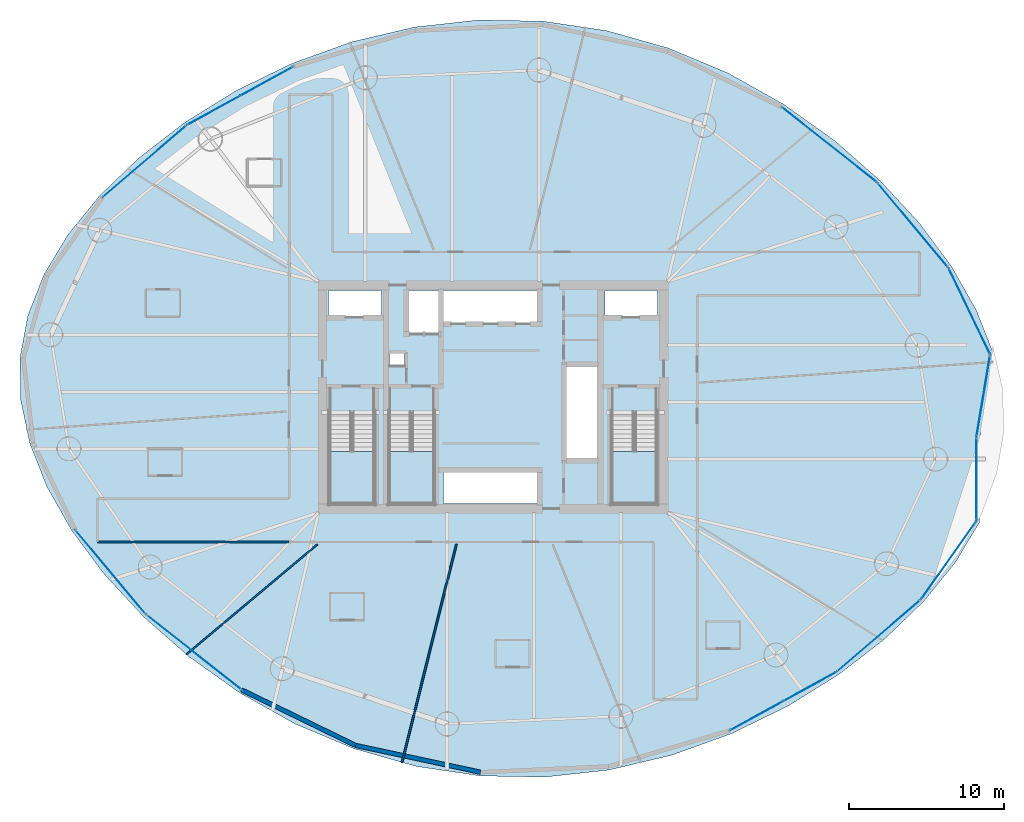
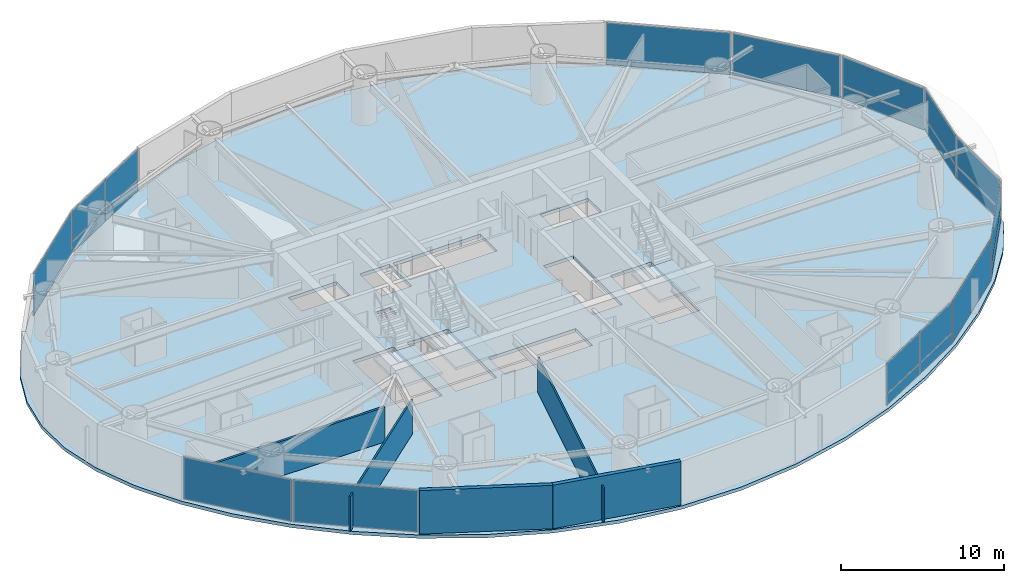
# One storey, part 20 of 25: 22 plates, 5 walls, 4 slabs, 15 elements without a shape of their own.
"""IFC4 building model written with IfcOpenShell, lengths in metres."""

from ifc_helpers import new_model, si_unit, direction, frame, frame_2d, origin, origin_2d, place, context, subcontext, project, spatial, polyline, rectangle, outline, extrude, material, layer, layer_set, type_object, element, aggregate, save


model = new_model("IFC4")

# Units and contexts
model_context = context("Model", 3, precision=1e-05, world=origin(), true_north=direction((0.0, 1.0)))
body_context = subcontext(model_context, "Body", "Model", "MODEL_VIEW")
ifc_project = project(units=[si_unit("LENGTHUNIT", "METRE"), si_unit("AREAUNIT", "SQUARE_METRE"), si_unit("VOLUMEUNIT", "CUBIC_METRE"), si_unit("PLANEANGLEUNIT", "RADIAN"), si_unit("MASSUNIT", "GRAM", prefix="KILO")], contexts=[model_context])

# Site, building, storey
site_placement = place(None, origin())
site = spatial("IfcSite", under=ifc_project, at=site_placement, CompositionType="ELEMENT")
building_placement = place(site_placement, origin())
building = spatial("IfcBuilding", under=site, at=building_placement, Name="Bramvorn Convention Spire", CompositionType="ELEMENT")
storey_placement = place(building_placement, frame((0.0, 0.0, 55.39990234375)))
storey = spatial("IfcBuildingStorey", under=building, at=storey_placement, Name="L11", CompositionType="ELEMENT", Elevation=55.39990234375)

# Curtain wall, plate
ifc_material_1 = material(Name="Anodised Bronze Unitised Curtain Wall", Category="aluminium")
ifc_layer_1 = layer(ifc_material_1, 0.179931640625)
ifc_layer_set_1 = layer_set([ifc_layer_1], Name="Anodised Bronze Unitised Curtain Wall - CW-HTL-FRIT")
curtain_wall_type_1 = type_object("IfcCurtainWallType", Name="CW-HTL-FRIT", PredefinedType="USERDEFINED", material=ifc_layer_set_1)
curtain_wall_1_placement = place(storey_placement, origin())
curtain_wall_1 = element("IfcCurtainWall", 1, at=curtain_wall_1_placement, inside=storey, type_object=curtain_wall_type_1, Name="L11 fritted glass curtain wall 03", ObjectType="UNITISED CURTAIN WALL", PredefinedType="USERDEFINED")
ifc_material_2 = material(Name="Laminated Low-E Glass (Triple IGU Bronze Ceramic Frit 35%)", Category="glass")
ifc_layer_2 = layer(ifc_material_2, 0.035888671875)
ifc_layer_set_2 = layer_set([ifc_layer_2], Name="Laminated Low-E Glass (Triple IGU Bronze Ceramic Frit 35%) - PNL-IGU-1")
plate_type_1 = type_object("IfcPlateType", Name="PNL-IGU-1", PredefinedType="CURTAIN_PANEL", material=ifc_layer_set_2)
plate_1_placement = place(storey_placement, frame((65.05029296875, 37.081787109375, 0.06005859375), z_axis=(0.0, 0.0, 1.0), x_axis=(0.641271629393, -0.767313949656, 0.0)))
plate_1 = element("IfcPlate", 2, at=plate_1_placement, type_object=plate_type_1, Name="CW2 panel 1.1", PredefinedType="CURTAIN_PANEL", context=body_context, shape_type="SweptSolid", body=[
    extrude(rectangle(XDim=7.02294921875, YDim=0.028076171875, at=origin_2d()), origin(), (0.0, 0.0, 1.0), 3.1298828125),
])
aggregate(curtain_wall_1, [plate_1])

curtain_wall_2_placement = place(storey_placement, origin())
curtain_wall_2 = element("IfcCurtainWall", 3, at=curtain_wall_2_placement, inside=storey, type_object=curtain_wall_type_1, Name="L11 fritted glass curtain wall 04", ObjectType="UNITISED CURTAIN WALL", PredefinedType="USERDEFINED")
plate_2_placement = place(storey_placement, frame((59.680419921875, 42.25146484375, 0.06005859375), z_axis=(0.0, 0.0, 1.0), x_axis=(0.785131009574, -0.619329716553, 0.0)))
plate_2 = element("IfcPlate", 4, at=plate_2_placement, type_object=plate_type_1, Name="CW2 panel 1.1", PredefinedType="CURTAIN_PANEL", context=body_context, shape_type="SweptSolid", body=[
    extrude(rectangle(XDim=7.724853515625, YDim=0.028076171875, at=origin_2d()), origin(), (0.0, 0.0, 1.0), 3.1298828125),
])
aggregate(curtain_wall_2, [plate_2])

# Curtain wall, plates
curtain_wall_3_placement = place(storey_placement, origin())
curtain_wall_3 = element("IfcCurtainWall", 5, at=curtain_wall_3_placement, inside=storey, type_object=curtain_wall_type_1, Name="L11 fritted glass curtain wall 09", ObjectType="UNITISED CURTAIN WALL", PredefinedType="USERDEFINED")
plate_3_placement = place(storey_placement, frame((19.98486328125, 44.4716796875, 0.06005859375), z_axis=(0.0, 0.0, 1.0), x_axis=(0.87658087048, 0.481254586999, 0.0)))
plate_3 = element("IfcPlate", 6, at=plate_3_placement, type_object=plate_type_1, Name="CW2 panel 1.1", PredefinedType="CURTAIN_PANEL", context=body_context, shape_type="SweptSolid", body=[
    extrude(rectangle(XDim=3.83251953125, YDim=0.028076171875, at=origin_2d()), origin(), (0.0, 0.0, 1.0), 0.81005859375),
])
plate_4_placement = place(storey_placement, frame((19.98486328125, 44.4716796875, 0.93017578125), z_axis=(0.0, 0.0, 1.0), x_axis=(0.87658087048, 0.481254586999, 0.0)))
plate_4 = element("IfcPlate", 7, at=plate_4_placement, type_object=plate_type_1, Name="CW2 panel 1.2", PredefinedType="CURTAIN_PANEL", context=body_context, shape_type="SweptSolid", body=[
    extrude(rectangle(XDim=3.83251953125, YDim=0.028076171875, at=origin_2d()), origin(), (0.0, 0.0, 1.0), 2.260009765625),
])
plate_5_placement = place(storey_placement, frame((23.39697265625, 46.3447265625, 0.06005859375), z_axis=(0.0, 0.0, 1.0), x_axis=(0.87658087048, 0.481254586999, 0.0)))
plate_5 = element("IfcPlate", 8, at=plate_5_placement, type_object=plate_type_1, Name="CW2 panel 2.1", PredefinedType="CURTAIN_PANEL", context=body_context, shape_type="SweptSolid", body=[
    extrude(rectangle(XDim=3.83251953125, YDim=0.028076171875, at=origin_2d()), origin(), (0.0, 0.0, 1.0), 0.81005859375),
])
plate_6_placement = place(storey_placement, frame((23.39697265625, 46.3447265625, 0.93017578125), z_axis=(0.0, 0.0, 1.0), x_axis=(0.87658087048, 0.481254586999, 0.0)))
plate_6 = element("IfcPlate", 9, at=plate_6_placement, type_object=plate_type_1, Name="CW2 panel 2.2", PredefinedType="CURTAIN_PANEL", context=body_context, shape_type="SweptSolid", body=[
    extrude(rectangle(XDim=3.83251953125, YDim=0.028076171875, at=origin_2d()), origin(), (0.0, 0.0, 1.0), 2.260009765625),
])
aggregate(curtain_wall_3, [plate_3, plate_4, plate_5, plate_6])

# Curtain wall, plate
curtain_wall_4_placement = place(storey_placement, origin())
curtain_wall_4 = element("IfcCurtainWall", 10, at=curtain_wall_4_placement, inside=storey, type_object=curtain_wall_type_1, Name="L11 fritted glass curtain wall 10", ObjectType="UNITISED CURTAIN WALL", PredefinedType="USERDEFINED")
plate_7_placement = place(storey_placement, frame((15.54150390625, 41.19580078125, 0.06005859375), z_axis=(0.0, 0.0, 1.0), x_axis=(0.759124162736, 0.650945854546, 0.0)))
plate_7 = element("IfcPlate", 11, at=plate_7_placement, type_object=plate_type_1, Name="CW2 panel 1.1", PredefinedType="CURTAIN_PANEL", context=body_context, shape_type="SweptSolid", body=[
    extrude(rectangle(XDim=7.02294921875, YDim=0.028076171875, at=origin_2d()), origin(), (0.0, 0.0, 1.0), 3.1298828125),
])
aggregate(curtain_wall_4, [plate_7])

curtain_wall_5_placement = place(storey_placement, origin())
curtain_wall_5 = element("IfcCurtainWall", 12, at=curtain_wall_5_placement, inside=storey, type_object=curtain_wall_type_1, Name="L11 fritted glass curtain wall 15", ObjectType="UNITISED CURTAIN WALL", PredefinedType="USERDEFINED")
plate_8_placement = place(storey_placement, frame((13.341552734375, 14.719482421875, 0.06005859375), z_axis=(0.0, 0.0, 1.0), x_axis=(-0.641271629393, 0.767313949656, 0.0)))
plate_8 = element("IfcPlate", 13, at=plate_8_placement, type_object=plate_type_1, Name="CW2 panel 1.1", PredefinedType="CURTAIN_PANEL", context=body_context, shape_type="SweptSolid", body=[
    extrude(rectangle(XDim=7.02294921875, YDim=0.028076171875, at=origin_2d()), origin(), (0.0, 0.0, 1.0), 3.1298828125),
])
aggregate(curtain_wall_5, [plate_8])

curtain_wall_6_placement = place(storey_placement, origin())
curtain_wall_6 = element("IfcCurtainWall", 14, at=curtain_wall_6_placement, inside=storey, type_object=curtain_wall_type_1, Name="L11 fritted glass curtain wall 16", ObjectType="UNITISED CURTAIN WALL", PredefinedType="USERDEFINED")
plate_9_placement = place(storey_placement, frame((18.71142578125, 9.5498046875, 0.06005859375), z_axis=(0.0, 0.0, 1.0), x_axis=(-0.785131009574, 0.619329716553, 0.0)))
plate_9 = element("IfcPlate", 15, at=plate_9_placement, type_object=plate_type_1, Name="CW2 panel 1.1", PredefinedType="CURTAIN_PANEL", context=body_context, shape_type="SweptSolid", body=[
    extrude(rectangle(XDim=7.724853515625, YDim=0.028076171875, at=origin_2d()), origin(), (0.0, 0.0, 1.0), 3.1298828125),
])
aggregate(curtain_wall_6, [plate_9])

# Curtain wall, plates
curtain_wall_7_placement = place(storey_placement, origin())
curtain_wall_7 = element("IfcCurtainWall", 16, at=curtain_wall_7_placement, inside=storey, type_object=curtain_wall_type_1, Name="L11 fritted glass curtain wall 21", ObjectType="UNITISED CURTAIN WALL", PredefinedType="USERDEFINED")
plate_10_placement = place(storey_placement, frame((58.406982421875, 7.329833984375, 0.06005859375), z_axis=(0.0, 0.0, 1.0), x_axis=(-0.87658087048, -0.481254586999, 0.0)))
plate_10 = element("IfcPlate", 17, at=plate_10_placement, type_object=plate_type_1, Name="CW2 panel 1.1", PredefinedType="CURTAIN_PANEL", context=body_context, shape_type="SweptSolid", body=[
    extrude(rectangle(XDim=3.83251953125, YDim=0.028076171875, at=origin_2d()), origin(), (0.0, 0.0, 1.0), 0.81005859375),
])
plate_11_placement = place(storey_placement, frame((58.406982421875, 7.329833984375, 0.93017578125), z_axis=(0.0, 0.0, 1.0), x_axis=(-0.87658087048, -0.481254586999, 0.0)))
plate_11 = element("IfcPlate", 18, at=plate_11_placement, type_object=plate_type_1, Name="CW2 panel 1.2", PredefinedType="CURTAIN_PANEL", context=body_context, shape_type="SweptSolid", body=[
    extrude(rectangle(XDim=3.83251953125, YDim=0.028076171875, at=origin_2d()), origin(), (0.0, 0.0, 1.0), 2.260009765625),
])
plate_12_placement = place(storey_placement, frame((54.994873046875, 5.45654296875, 0.06005859375), z_axis=(0.0, 0.0, 1.0), x_axis=(-0.87658087048, -0.481254586999, 0.0)))
plate_12 = element("IfcPlate", 19, at=plate_12_placement, type_object=plate_type_1, Name="CW2 panel 2.1", PredefinedType="CURTAIN_PANEL", context=body_context, shape_type="SweptSolid", body=[
    extrude(rectangle(XDim=3.83251953125, YDim=0.028076171875, at=origin_2d()), origin(), (0.0, 0.0, 1.0), 0.81005859375),
])
plate_13_placement = place(storey_placement, frame((54.994873046875, 5.45654296875, 0.93017578125), z_axis=(0.0, 0.0, 1.0), x_axis=(-0.87658087048, -0.481254586999, 0.0)))
plate_13 = element("IfcPlate", 20, at=plate_13_placement, type_object=plate_type_1, Name="CW2 panel 2.2", PredefinedType="CURTAIN_PANEL", context=body_context, shape_type="SweptSolid", body=[
    extrude(rectangle(XDim=3.83251953125, YDim=0.028076171875, at=origin_2d()), origin(), (0.0, 0.0, 1.0), 2.260009765625),
])
aggregate(curtain_wall_7, [plate_10, plate_11, plate_12, plate_13])

# Curtain wall, plate
curtain_wall_8_placement = place(storey_placement, origin())
curtain_wall_8 = element("IfcCurtainWall", 21, at=curtain_wall_8_placement, inside=storey, type_object=curtain_wall_type_1, Name="L11 fritted glass curtain wall 22", ObjectType="UNITISED CURTAIN WALL", PredefinedType="USERDEFINED")
plate_14_placement = place(storey_placement, frame((62.850341796875, 10.605712890625, 0.06005859375), z_axis=(0.0, 0.0, 1.0), x_axis=(-0.759124162736, -0.650945854546, 0.0)))
plate_14 = element("IfcPlate", 22, at=plate_14_placement, type_object=plate_type_1, Name="CW2 panel 1.1", PredefinedType="CURTAIN_PANEL", context=body_context, shape_type="SweptSolid", body=[
    extrude(rectangle(XDim=7.02294921875, YDim=0.028076171875, at=origin_2d()), origin(), (0.0, 0.0, 1.0), 3.1298828125),
])
aggregate(curtain_wall_8, [plate_14])

# Curtain wall, plates
ifc_layer_3 = layer(ifc_material_1, 0.219970703125)
ifc_layer_set_3 = layer_set([ifc_layer_3], Name="Anodised Bronze Unitised Curtain Wall - CW-SKYGARDEN")
curtain_wall_type_2 = type_object("IfcCurtainWallType", Name="CW-SKYGARDEN", PredefinedType="USERDEFINED", material=ifc_layer_set_3)
curtain_wall_9_placement = place(storey_placement, origin())
curtain_wall_9 = element("IfcCurtainWall", 23, at=curtain_wall_9_placement, inside=storey, type_object=curtain_wall_type_2, Name="L11 Sky Garden glazed facade 01", ObjectType="WINTER GARDEN GLAZING", PredefinedType="USERDEFINED")
ifc_material_3 = material(Name="Laminated Low-E Glass (Acoustic Laminated Podium Triple IGU)", Category="glass")
ifc_layer_4 = layer(ifc_material_3, 0.0458984375)
ifc_layer_set_4 = layer_set([ifc_layer_4], Name="Laminated Low-E Glass (Acoustic Laminated Podium Triple IGU) - PNL-IGU-5")
plate_type_2 = type_object("IfcPlateType", Name="PNL-IGU-5", PredefinedType="CURTAIN_PANEL", material=ifc_layer_set_4)
plate_15_placement = place(storey_placement, frame((69.59619140625, 26.079345703125, 0.06005859375), z_axis=(0.0, 0.0, 1.0), x_axis=(-0.164620819183, -0.986356926215, 0.0)))
plate_15 = element("IfcPlate", 24, at=plate_15_placement, type_object=plate_type_2, Name="CW4 panel 1.1", PredefinedType="CURTAIN_PANEL", context=body_context, shape_type="SweptSolid", body=[
    extrude(rectangle(XDim=5.289306640625, YDim=0.028076171875, at=origin_2d()), origin(), (0.0, 0.0, 1.0), 0.909912109375),
])
plate_16_placement = place(storey_placement, frame((69.59619140625, 26.079345703125, 1.0302734375), z_axis=(0.0, 0.0, 1.0), x_axis=(-0.164620819183, -0.986356926215, 0.0)))
plate_16 = element("IfcPlate", 25, at=plate_16_placement, type_object=plate_type_2, Name="CW4 panel 1.2", PredefinedType="CURTAIN_PANEL", context=body_context, shape_type="SweptSolid", body=[
    extrude(rectangle(XDim=5.289306640625, YDim=0.028076171875, at=origin_2d()), origin(), (0.0, 0.0, 1.0), 2.159912109375),
])
aggregate(curtain_wall_9, [plate_15, plate_16])

curtain_wall_10_placement = place(storey_placement, origin())
curtain_wall_10 = element("IfcCurtainWall", 26, at=curtain_wall_10_placement, inside=storey, type_object=curtain_wall_type_2, Name="L11 Sky Garden glazed facade 02", ObjectType="WINTER GARDEN GLAZING", PredefinedType="USERDEFINED")
plate_17_placement = place(storey_placement, frame((68.691162109375, 31.544189453125, 0.06005859375), z_axis=(0.0, 0.0, 1.0), x_axis=(0.434781928379, -0.900535770947, 0.0)))
plate_17 = element("IfcPlate", 27, at=plate_17_placement, type_object=plate_type_2, Name="CW4 panel 1.1", PredefinedType="CURTAIN_PANEL", context=body_context, shape_type="SweptSolid", body=[
    extrude(rectangle(XDim=6.092041015625, YDim=0.028076171875, at=origin_2d()), origin(), (0.0, 0.0, 1.0), 0.909912109375),
])
plate_18_placement = place(storey_placement, frame((68.691162109375, 31.544189453125, 1.0302734375), z_axis=(0.0, 0.0, 1.0), x_axis=(0.434781928379, -0.900535770947, 0.0)))
plate_18 = element("IfcPlate", 28, at=plate_18_placement, type_object=plate_type_2, Name="CW4 panel 1.2", PredefinedType="CURTAIN_PANEL", context=body_context, shape_type="SweptSolid", body=[
    extrude(rectangle(XDim=6.092041015625, YDim=0.028076171875, at=origin_2d()), origin(), (0.0, 0.0, 1.0), 2.159912109375),
])
aggregate(curtain_wall_10, [plate_17, plate_18])

curtain_wall_11_placement = place(storey_placement, origin())
curtain_wall_11 = element("IfcCurtainWall", 29, at=curtain_wall_11_placement, inside=storey, type_object=curtain_wall_type_2, Name="L11 Sky Garden glazed facade 23", ObjectType="WINTER GARDEN GLAZING", PredefinedType="USERDEFINED")
plate_19_placement = place(storey_placement, frame((67.35498046875, 15.46630859375, 0.06005859375), z_axis=(0.0, 0.0, 1.0), x_axis=(-0.577443260985, -0.816430817855, 0.0)))
plate_19 = element("IfcPlate", 30, at=plate_19_placement, type_object=plate_type_2, Name="CW4 panel 1.1", PredefinedType="CURTAIN_PANEL", context=body_context, shape_type="SweptSolid", body=[
    extrude(rectangle(XDim=6.092041015625, YDim=0.028076171875, at=origin_2d()), origin(), (0.0, 0.0, 1.0), 0.909912109375),
])
plate_20_placement = place(storey_placement, frame((67.35498046875, 15.46630859375, 1.0302734375), z_axis=(0.0, 0.0, 1.0), x_axis=(-0.577443260985, -0.816430817855, 0.0)))
plate_20 = element("IfcPlate", 31, at=plate_20_placement, type_object=plate_type_2, Name="CW4 panel 1.2", PredefinedType="CURTAIN_PANEL", context=body_context, shape_type="SweptSolid", body=[
    extrude(rectangle(XDim=6.092041015625, YDim=0.028076171875, at=origin_2d()), origin(), (0.0, 0.0, 1.0), 2.159912109375),
])
aggregate(curtain_wall_11, [plate_19, plate_20])

curtain_wall_12_placement = place(storey_placement, origin())
curtain_wall_12 = element("IfcCurtainWall", 32, at=curtain_wall_12_placement, inside=storey, type_object=curtain_wall_type_2, Name="L11 Sky Garden glazed facade 24", ObjectType="WINTER GARDEN GLAZING", PredefinedType="USERDEFINED")
plate_21_placement = place(storey_placement, frame((69.14990234375, 20.706787109375, 0.06005859375), z_axis=(0.0, 0.0, 1.0), x_axis=(-0.000443663886, -0.999999901581, 0.0)))
plate_21 = element("IfcPlate", 33, at=plate_21_placement, type_object=plate_type_2, Name="CW4 panel 1.1", PredefinedType="CURTAIN_PANEL", context=body_context, shape_type="SweptSolid", body=[
    extrude(rectangle(XDim=5.28955078125, YDim=0.028076171875, at=origin_2d()), origin(), (0.0, 0.0, 1.0), 0.909912109375),
])
plate_22_placement = place(storey_placement, frame((69.14990234375, 20.706787109375, 1.0302734375), z_axis=(0.0, 0.0, 1.0), x_axis=(-0.000443663886, -0.999999901581, 0.0)))
plate_22 = element("IfcPlate", 34, at=plate_22_placement, type_object=plate_type_2, Name="CW4 panel 1.2", PredefinedType="CURTAIN_PANEL", context=body_context, shape_type="SweptSolid", body=[
    extrude(rectangle(XDim=5.28955078125, YDim=0.028076171875, at=origin_2d()), origin(), (0.0, 0.0, 1.0), 2.159912109375),
])
aggregate(curtain_wall_12, [plate_21, plate_22])

# Stair, slab
ifc_material_4 = material(Name="Concrete C40/50 Precast Stair", Category="concrete")
stair_type = type_object("IfcStairType", Name="ST-TOWER-1550", PredefinedType="HALF_TURN_STAIR", material=ifc_material_4)
stair_1_placement = place(storey_placement, origin())
stair_1 = element("IfcStair", 35, at=stair_1_placement, inside=storey, type_object=stair_type, Name="L11 Protected Exit Stair ST1", PredefinedType="HALF_TURN_STAIR")
ifc_material_5 = material(Name="Concrete C40/50 Stair Landing", Category="concrete")
ifc_layer_5 = layer(ifc_material_5, 0.219970703125)
ifc_layer_set_5 = layer_set([ifc_layer_5], Name="Concrete C40/50 Stair Landing - SLB-STAIR-LANDING")
slab_type_1 = type_object("IfcSlabType", Name="SLB-STAIR-LANDING", PredefinedType="LANDING", material=ifc_layer_set_5)
slab_1_placement = place(storey_placement, frame((0.0, 0.0, 1.550048828125)))
slab_1 = element("IfcSlab", 36, at=slab_1_placement, type_object=slab_type_1, Name="ST1 landing 1", PredefinedType="LANDING", context=body_context, shape_type="SweptSolid", body=[
    extrude(outline(polyline([(27.449951171875, 22.485107421875), (27.449951171875, 19.10009765625), (30.35009765625, 19.10009765625), (30.35009765625, 22.485107421875), (27.449951171875, 22.485107421875)])), origin(), (0.0, 0.0, 1.0), 0.199951171875),
])
aggregate(stair_1, [slab_1])

stair_2_placement = place(storey_placement, origin())
stair_2 = element("IfcStair", 37, at=stair_2_placement, inside=storey, type_object=stair_type, Name="L11 Protected Exit Stair ST2", PredefinedType="HALF_TURN_STAIR")
slab_2_placement = place(storey_placement, frame((0.0, 0.0, 1.550048828125)))
slab_2 = element("IfcSlab", 38, at=slab_2_placement, type_object=slab_type_1, Name="ST2 landing 1", PredefinedType="LANDING", context=body_context, shape_type="SweptSolid", body=[
    extrude(outline(polyline([(45.64990234375, 22.485107421875), (45.64990234375, 19.10009765625), (48.550048828125, 19.10009765625), (48.550048828125, 22.485107421875), (45.64990234375, 22.485107421875)])), origin(), (0.0, 0.0, 1.0), 0.199951171875),
])
aggregate(stair_2, [slab_2])

stair_3_placement = place(storey_placement, origin())
stair_3 = element("IfcStair", 39, at=stair_3_placement, inside=storey, type_object=stair_type, Name="L11 Protected Exit Stair ST3", PredefinedType="HALF_TURN_STAIR")
slab_3_placement = place(storey_placement, frame((0.0, 0.0, 1.550048828125)))
slab_3 = element("IfcSlab", 40, at=slab_3_placement, type_object=slab_type_1, Name="ST3 landing 1", PredefinedType="LANDING", context=body_context, shape_type="SweptSolid", body=[
    extrude(outline(polyline([(31.300048828125, 22.485107421875), (31.300048828125, 19.10009765625), (34.199951171875, 19.10009765625), (34.199951171875, 22.485107421875), (31.300048828125, 22.485107421875)])), origin(), (0.0, 0.0, 1.0), 0.199951171875),
])
aggregate(stair_3, [slab_3])

# Slab
ifc_material_6 = material(Name="Concrete C50/60", Category="concrete")
ifc_layer_6 = layer(ifc_material_6, 0.25)
ifc_layer_set_6 = layer_set([ifc_layer_6], Name="Concrete C50/60 - SLB-Z1-250")
slab_type_2 = type_object("IfcSlabType", Name="SLB-Z1-250", PredefinedType="FLOOR", material=ifc_layer_set_6)
slab_4_placement = place(storey_placement, frame((0.0, 0.0, -0.25)))
element("IfcSlab", 41, at=slab_4_placement, inside=storey, type_object=slab_type_2, Name="L11 tower floor slab", PredefinedType="FLOOR", context=body_context, shape_type="SweptSolid", body=[
    extrude(outline(polyline([(69.3720703125, 23.393310546875), (69.850341796875, 25.999267578125), (70.257568359375, 28.782470703125), (69.14990234375, 31.59912109375), (67.539306640625, 34.430908203125), (65.45361328125, 37.23828125), (62.927978515625, 39.96435546875), (60.00341796875, 42.535888671875), (56.726806640625, 44.869140625), (53.150146484375, 46.8779296875), (49.3310546875, 48.481201171875), (45.331298828125, 49.612060546875), (41.217041015625, 50.224853515625), (37.05810546875, 50.299560546875), (32.926513671875, 49.844482421875), (28.895263671875, 48.893310546875), (25.0361328125, 47.50244140625), (21.419189453125, 45.741943359375), (18.1103515625, 43.6884765625), (15.169677734375, 41.41650390625), (12.649169921875, 38.991943359375), (10.593017578125, 36.46484375), (9.03564453125, 33.86962890625), (8.001708984375, 31.22412109375), (7.505126953125, 28.533935546875), (7.55078125, 25.798828125), (8.134033203125, 23.018798828125), (9.24169921875, 20.2021484375), (10.8525390625, 17.370361328125), (12.938232421875, 14.56298828125), (15.4638671875, 11.8369140625), (18.38818359375, 9.265380859375), (21.664794921875, 6.93212890625), (25.241455078125, 4.92333984375), (29.060791015625, 3.320068359375), (33.060546875, 2.189208984375), (37.1748046875, 1.576416015625), (41.33349609375, 1.501708984375), (45.465087890625, 1.956787109375), (49.49658203125, 2.907958984375), (53.355712890625, 4.298828125), (56.972412109375, 6.059326171875), (60.28125, 8.11279296875), (63.22216796875, 10.384521484375), (65.74267578125, 12.809326171875), (67.798583984375, 15.33642578125), (69.35595703125, 17.931640625), (69.413818359375, 20.743896484375), (69.3720703125, 23.393310546875)]), holes=[polyline([(27.449951171875, 25.050048828125), (27.449951171875, 19.10009765625), (30.35009765625, 19.10009765625), (30.35009765625, 25.050048828125), (27.449951171875, 25.050048828125)]), polyline([(45.64990234375, 25.050048828125), (45.64990234375, 19.10009765625), (48.550048828125, 19.10009765625), (48.550048828125, 25.050048828125), (45.64990234375, 25.050048828125)]), polyline([(31.300048828125, 25.050048828125), (31.300048828125, 19.10009765625), (34.199951171875, 19.10009765625), (34.199951171875, 25.050048828125), (31.300048828125, 25.050048828125)]), polyline([(27.39990234375, 31.219970703125), (30.800048828125, 31.219970703125), (30.800048828125, 32.85009765625), (27.39990234375, 32.85009765625), (27.39990234375, 31.219970703125)]), polyline([(45.199951171875, 31.219970703125), (48.60009765625, 31.219970703125), (48.60009765625, 32.85009765625), (45.199951171875, 32.85009765625), (45.199951171875, 31.219970703125)]), polyline([(32.449951171875, 30.14990234375), (34.56005859375, 30.14990234375), (34.56005859375, 32.85009765625), (32.449951171875, 32.85009765625), (32.449951171875, 30.14990234375)]), polyline([(34.800048828125, 30.800048828125), (40.97998046875, 30.800048828125), (40.97998046875, 32.85009765625), (34.800048828125, 32.85009765625), (34.800048828125, 30.800048828125)]), polyline([(34.800048828125, 19.14990234375), (40.97998046875, 19.14990234375), (40.97998046875, 21.199951171875), (34.800048828125, 21.199951171875), (34.800048828125, 19.14990234375)]), polyline([(42.6201171875, 22.0), (44.75, 22.0), (44.75, 28.0), (42.6201171875, 28.0), (42.6201171875, 22.0)]), polyline([(31.320068359375, 28.02001953125), (32.280029296875, 28.02001953125), (32.280029296875, 28.820068359375), (31.320068359375, 28.820068359375), (31.320068359375, 28.02001953125)])]), origin(), (0.0, 0.0, 1.0), 0.25),
])

# Walls
ifc_material_7 = material(Name="Precast Concrete C40/50 with Bronze Terracotta Rainscreen", Category="masonry")
ifc_layer_7 = layer(ifc_material_7, 0.300048828125)
ifc_layer_set_7 = layer_set([ifc_layer_7], Name="Precast Concrete C40/50 with Bronze Terracotta Rainscreen - WL-EXT-BRONZE-300")
wall_type_1 = type_object("IfcWallType", Name="WL-EXT-BRONZE-300", PredefinedType="SOLIDWALL", material=ifc_layer_set_7)
wall_1_placement = place(storey_placement, frame((29.13623046875, 3.541748046875, 0.0), z_axis=(0.0, 0.0, 1.0), x_axis=(-0.898969656807, 0.4380109087, 0.0)))
element("IfcWall", 42, at=wall_1_placement, inside=storey, type_object=wall_type_1, Name="L11 expressed bronze Gothic lancet pier wall 17", PredefinedType="SOLIDWALL", context=body_context, shape_type="SweptSolid", body=[
    extrude(rectangle(XDim=8.170654296875, YDim=0.280029296875, at=frame_2d((4.08544921875, 0.0))), origin(), (0.0, 0.0, 1.0), 3.25),
])
wall_2_placement = place(storey_placement, frame((37.1943359375, 1.813232421875, 0.0), z_axis=(0.0, 0.0, 1.0), x_axis=(-0.977758173587, 0.209735438072, 0.0)))
element("IfcWall", 43, at=wall_2_placement, inside=storey, type_object=wall_type_1, Name="L11 expressed bronze Gothic lancet pier wall 18", PredefinedType="SOLIDWALL", context=body_context, shape_type="SweptSolid", body=[
    extrude(rectangle(XDim=8.241455078125, YDim=0.280029296875, at=frame_2d((4.12060546875, 0.0))), origin(), (0.0, 0.0, 1.0), 3.25),
])
ifc_material_8 = material(Name="Lightweight En-Suite & Wet-Wall Partition", Category="gypsum")
ifc_layer_8 = layer(ifc_material_8, 0.110107421875)
ifc_layer_set_8 = layer_set([ifc_layer_8], Name="Lightweight En-Suite & Wet-Wall Partition - WL-PART-110")
wall_type_2 = type_object("IfcWallType", Name="WL-PART-110", PredefinedType="PARTITIONING", material=ifc_layer_set_8)
wall_3_placement = place(storey_placement, frame((26.690185546875, 16.510009765625, 0.0), z_axis=(0.0, 0.0, 1.0), x_axis=(-0.766038579341, -0.642794597801, 0.0)))
element("IfcWall", 44, at=wall_3_placement, inside=storey, type_object=wall_type_2, Name="L11 Guestroom demising wall 7", PredefinedType="PARTITIONING", context=body_context, shape_type="SweptSolid", body=[
    extrude(rectangle(XDim=11.07958984375, YDim=0.110107421875, at=frame_2d((5.539794921875, 0.0))), origin(), (0.0, 0.0, 1.0), 2.60009765625),
])
wall_4_placement = place(storey_placement, frame((35.6337890625, 16.510009765625, 0.0), z_axis=(0.0, 0.0, 1.0), x_axis=(-0.241922353722, -0.970295612053, 0.0)))
element("IfcWall", 45, at=wall_4_placement, inside=storey, type_object=wall_type_2, Name="L11 Guestroom demising wall 8", PredefinedType="PARTITIONING", context=body_context, shape_type="SweptSolid", body=[
    extrude(rectangle(XDim=14.52001953125, YDim=0.110107421875, at=frame_2d((7.260009765625, 0.0))), origin(), (0.0, 0.0, 1.0), 2.60009765625),
])
ifc_material_9 = material(Name="Acoustic Metal-Stud Tenant/Corridor Partition", Category="gypsum")
ifc_layer_9 = layer(ifc_material_9, 0.14990234375)
ifc_layer_set_9 = layer_set([ifc_layer_9], Name="Acoustic Metal-Stud Tenant/Corridor Partition - WL-PART-150")
wall_type_3 = type_object("IfcWallType", Name="WL-PART-150", PredefinedType="PARTITIONING", material=ifc_layer_set_9)
wall_5_placement = place(storey_placement, frame((12.49365234375, 16.64990234375, 0.0), z_axis=(0.0, 0.0, 1.0), x_axis=(1.0, 0.0, 0.0)))
element("IfcWall", 46, at=wall_5_placement, inside=storey, type_object=wall_type_3, Name="L11 SW pinwheel wing south wall", PredefinedType="PARTITIONING", context=body_context, shape_type="SweptSolid", body=[
    extrude(rectangle(XDim=12.3564453125, YDim=0.14990234375, at=frame_2d((6.17822265625, 0.0))), origin(), (0.0, 0.0, 1.0), 2.60009765625),
])

save(model, "model.ifc")
